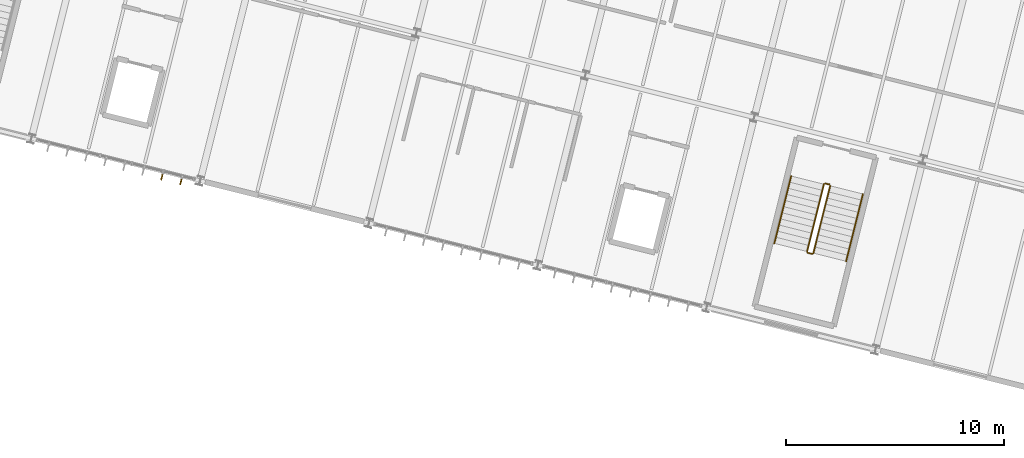
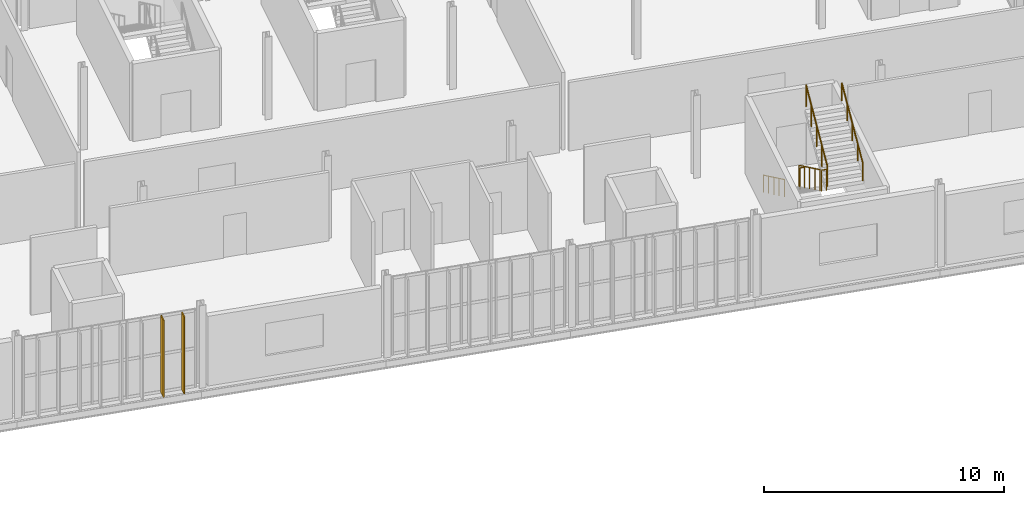
# One storey, part 59 of 61: 6 railings, 2 shading devices.
"""IFC4 building model written with IfcOpenShell, lengths in metres."""

from ifc_helpers import new_model, si_unit, derived_unit, direction, frame, origin, origin_2d, place, context, subcontext, project, spatial, rectangle, circle, extrude, material, layer, layer_set, type_object, element, save


model = new_model("IFC4")

# Units and contexts
model_context = context("Model", 3, precision=1e-05, world=origin(), true_north=direction((0.0, 1.0)))
body_context = subcontext(model_context, "Body", "Model", "MODEL_VIEW")
ifc_project = project(units=[si_unit("LENGTHUNIT", "METRE"), si_unit("AREAUNIT", "SQUARE_METRE"), si_unit("VOLUMEUNIT", "CUBIC_METRE"), si_unit("PLANEANGLEUNIT", "RADIAN"), si_unit("MASSUNIT", "GRAM", prefix="KILO"), si_unit("THERMODYNAMICTEMPERATUREUNIT", "KELVIN"), si_unit("TIMEUNIT", "SECOND"), derived_unit("THERMALTRANSMITTANCEUNIT", [(si_unit("MASSUNIT", "GRAM", prefix="KILO"), 1), (si_unit("THERMODYNAMICTEMPERATUREUNIT", "KELVIN"), -1), (si_unit("TIMEUNIT", "SECOND"), -3)])], contexts=[model_context])

# Site, building, storey
site_placement = place(None, origin())
site = spatial("IfcSite", under=ifc_project, at=site_placement, CompositionType="ELEMENT")
building_placement = place(site_placement, origin())
building = spatial("IfcBuilding", under=site, at=building_placement, Name="Cambertide Market Hall", CompositionType="ELEMENT")
storey_placement = place(building_placement, frame((0.0, 0.0, 9.89990234375)))
storey = spatial("IfcBuildingStorey", under=building, at=storey_placement, Name="L03", CompositionType="ELEMENT", Elevation=9.89990234375)

# Railings
ifc_material_1 = material(Name="Stainless Steel Grade 316", Category="metal")
railing_type_1 = type_object("IfcRailingType", Name="Stair Wall Handrail 900", PredefinedType="HANDRAIL", material=ifc_material_1)
railing_1_placement = place(storey_placement, frame((158.447509765625, 94.3974609375, 0.175048828125)))
element("IfcRailing", 1, at=railing_1_placement, inside=storey, type_object=railing_type_1, Name="Level 3 ST-08A stair handrail 1", PredefinedType="HANDRAIL", context=body_context, shape_type="SweptSolid", body=[
    extrude(circle(Radius=0.02392578125, at=origin_2d()), frame((0.0, 0.0, 0.8759765625), z_axis=(-0.207654101688, -0.830616406754, 0.516678003097), x_axis=(0.970142500145, -0.242535625036, 0.0)), (0.0, 0.0, 1.0), 3.725830078125),
    extrude(circle(Radius=0.02099609375, at=origin_2d()), origin(), (0.0, 0.0, 1.0), 0.851806640625),
    extrude(circle(Radius=0.02099609375, at=origin_2d()), frame((-0.193359375, -0.773681640625, 0.481201171875)), (0.0, 0.0, 1.0), 0.851806640625),
    extrude(circle(Radius=0.02099609375, at=origin_2d()), frame((-0.38671875, -1.54736328125, 0.96240234375)), (0.0, 0.0, 1.0), 0.851806640625),
    extrude(circle(Radius=0.02099609375, at=origin_2d()), frame((-0.580322265625, -2.321044921875, 1.44384765625)), (0.0, 0.0, 1.0), 0.851806640625),
    extrude(circle(Radius=0.02099609375, at=origin_2d()), frame((-0.773681640625, -3.0947265625, 1.925048828125)), (0.0, 0.0, 1.0), 0.851806640625),
])
railing_2_placement = place(storey_placement, frame((160.97216796875, 90.47802734375, 2.275146484375)))
element("IfcRailing", 2, at=railing_2_placement, inside=storey, type_object=railing_type_1, Name="Level 3 ST-08A stair handrail 2", PredefinedType="HANDRAIL", context=body_context, shape_type="SweptSolid", body=[
    extrude(circle(Radius=0.02392578125, at=origin_2d()), frame((0.0, 0.0, 0.8759765625), z_axis=(0.207654101688, 0.830616406754, 0.516678003097), x_axis=(-0.970142500145, 0.242535625036, 0.0)), (0.0, 0.0, 1.0), 3.725830078125),
    extrude(circle(Radius=0.02099609375, at=origin_2d()), origin(), (0.0, 0.0, 1.0), 0.851806640625),
    extrude(circle(Radius=0.02099609375, at=origin_2d()), frame((0.193359375, 0.773681640625, 0.481201171875)), (0.0, 0.0, 1.0), 0.851806640625),
    extrude(circle(Radius=0.02099609375, at=origin_2d()), frame((0.38671875, 1.54736328125, 0.96240234375)), (0.0, 0.0, 1.0), 0.851806640625),
    extrude(circle(Radius=0.02099609375, at=origin_2d()), frame((0.580322265625, 2.321044921875, 1.44384765625)), (0.0, 0.0, 1.0), 0.851806640625),
    extrude(circle(Radius=0.02099609375, at=origin_2d()), frame((0.773681640625, 3.0947265625, 1.925048828125)), (0.0, 0.0, 1.0), 0.851806640625),
])
ifc_material_2 = material(Name="Stainless Steel Grade 316", Category="metal")
railing_type_2 = type_object("IfcRailingType", Name="Stairwell Inner Guardrail 1100", PredefinedType="GUARDRAIL", material=ifc_material_2)
railing_3_placement = place(storey_placement, frame((159.951171875, 94.021484375, 0.175048828125)))
element("IfcRailing", 3, at=railing_3_placement, inside=storey, type_object=railing_type_2, Name="Level 3 ST-08A stair guard 1", PredefinedType="GUARDRAIL", context=body_context, shape_type="SweptSolid", body=[
    extrude(circle(Radius=0.02392578125, at=origin_2d()), frame((0.0, 0.0, 1.076171875), z_axis=(-0.207654101688, -0.830616406754, 0.516678003097), x_axis=(0.970142500145, -0.242535625036, 0.0)), (0.0, 0.0, 1.0), 3.725830078125),
    extrude(circle(Radius=0.02099609375, at=origin_2d()), origin(), (0.0, 0.0, 1.0), 1.052001953125),
    extrude(circle(Radius=0.02099609375, at=origin_2d()), frame((-0.193359375, -0.773681640625, 0.481201171875)), (0.0, 0.0, 1.0), 1.052001953125),
    extrude(circle(Radius=0.02099609375, at=origin_2d()), frame((-0.38671875, -1.54736328125, 0.96240234375)), (0.0, 0.0, 1.0), 1.052001953125),
    extrude(circle(Radius=0.02099609375, at=origin_2d()), frame((-0.580322265625, -2.321044921875, 1.44384765625)), (0.0, 0.0, 1.0), 1.052001953125),
    extrude(circle(Radius=0.02099609375, at=origin_2d()), frame((-0.773681640625, -3.0947265625, 1.925048828125)), (0.0, 0.0, 1.0), 1.052001953125),
])
railing_4_placement = place(storey_placement, frame((159.2138671875, 90.8662109375, 2.10009765625)))
element("IfcRailing", 4, at=railing_4_placement, inside=storey, type_object=railing_type_2, Name="Level 3 ST-08A stair guard 2", PredefinedType="GUARDRAIL", context=body_context, shape_type="SweptSolid", body=[
    extrude(circle(Radius=0.02392578125, at=origin_2d()), frame((0.0, 0.0, 1.076171875), z_axis=(0.970070680326, -0.242822723755, 0.0), x_axis=(0.242822723755, 0.970070680326, 0.0)), (0.0, 0.0, 1.0), 0.2001953125),
    extrude(circle(Radius=0.02099609375, at=origin_2d()), origin(), (0.0, 0.0, 1.0), 1.052001953125),
    extrude(circle(Radius=0.02099609375, at=origin_2d()), frame((0.194091796875, -0.048583984375, 0.0)), (0.0, 0.0, 1.0), 1.052001953125),
])
railing_5_placement = place(storey_placement, frame((159.468505859375, 90.85400390625, 2.275146484375)))
element("IfcRailing", 5, at=railing_5_placement, inside=storey, type_object=railing_type_2, Name="Level 3 ST-08A stair guard 3", PredefinedType="GUARDRAIL", context=body_context, shape_type="SweptSolid", body=[
    extrude(circle(Radius=0.02392578125, at=origin_2d()), frame((0.0, 0.0, 1.076171875), z_axis=(0.207654101688, 0.830616406754, 0.516678003097), x_axis=(-0.970142500145, 0.242535625036, 0.0)), (0.0, 0.0, 1.0), 3.725830078125),
    extrude(circle(Radius=0.02099609375, at=origin_2d()), origin(), (0.0, 0.0, 1.0), 1.052001953125),
    extrude(circle(Radius=0.02099609375, at=origin_2d()), frame((0.193359375, 0.773681640625, 0.481201171875)), (0.0, 0.0, 1.0), 1.052001953125),
    extrude(circle(Radius=0.02099609375, at=origin_2d()), frame((0.38671875, 1.54736328125, 0.96240234375)), (0.0, 0.0, 1.0), 1.052001953125),
    extrude(circle(Radius=0.02099609375, at=origin_2d()), frame((0.580322265625, 2.321044921875, 1.44384765625)), (0.0, 0.0, 1.0), 1.052001953125),
    extrude(circle(Radius=0.02099609375, at=origin_2d()), frame((0.773681640625, 3.0947265625, 1.925048828125)), (0.0, 0.0, 1.0), 1.052001953125),
])
railing_6_placement = place(storey_placement, frame((160.01171875, 94.057861328125, 0.0)))
element("IfcRailing", 6, at=railing_6_placement, inside=storey, type_object=railing_type_2, Name="Level 3 ST-08A stair guard 4", PredefinedType="GUARDRAIL", context=body_context, shape_type="SweptSolid", body=[
    extrude(circle(Radius=0.02392578125, at=origin_2d()), frame((0.0, 0.0, 1.076171875), z_axis=(0.970070680326, -0.242822723755, 0.0), x_axis=(0.242822723755, 0.970070680326, 0.0)), (0.0, 0.0, 1.0), 0.2001953125),
    extrude(circle(Radius=0.02099609375, at=origin_2d()), origin(), (0.0, 0.0, 1.0), 1.052001953125),
    extrude(circle(Radius=0.02099609375, at=origin_2d()), frame((0.194091796875, -0.048583984375, 0.0)), (0.0, 0.0, 1.0), 1.052001953125),
])

# Shading devices
ifc_material_3 = material(Name="Champagne Marine Anodized Aluminium 6063-T6 AA25", Category="aluminium")
ifc_layer = layer(ifc_material_3, 0.054931640625, Name="Wing Facade Vertical Sun Fin 380x55")
ifc_layer_set = layer_set([ifc_layer], Name="Champagne Marine Anodized Aluminium 6063-T6 AA25")
shading_device_type = type_object("IfcShadingDeviceType", Name="Wing Facade Vertical Sun Fin 380x55", PredefinedType="JALOUSIE", material=ifc_layer_set)
for number, where, z_axis, x_axis, name in (
    (7, (130.407958984375, 94.181640625, 0.000244140625), (0.0, 0.0, 1.0), (-0.970142531436, 0.242535499875, 0.0), "CW-V4S-L03-3 Vertical Fin 1"),
    (8, (129.53466796875, 94.39990234375, 0.000244140625), (0.0, 0.0, 1.0), (-0.970142531436, 0.242535499875, 0.0), "CW-V4S-L03-3 Vertical Fin 2"),
):
    element("IfcShadingDevice", number, at=place(storey_placement, frame(where, z_axis=z_axis, x_axis=x_axis)), inside=storey, type_object=shading_device_type, Name=name, PredefinedType="JALOUSIE", context=body_context, shape_type="SweptSolid", body=[
        extrude(rectangle(XDim=0.054931640625, YDim=0.3798828125, at=origin_2d()), origin(), (0.0, 0.0, 1.0), 3.919921875),
    ])

save(model, "model.ifc")
